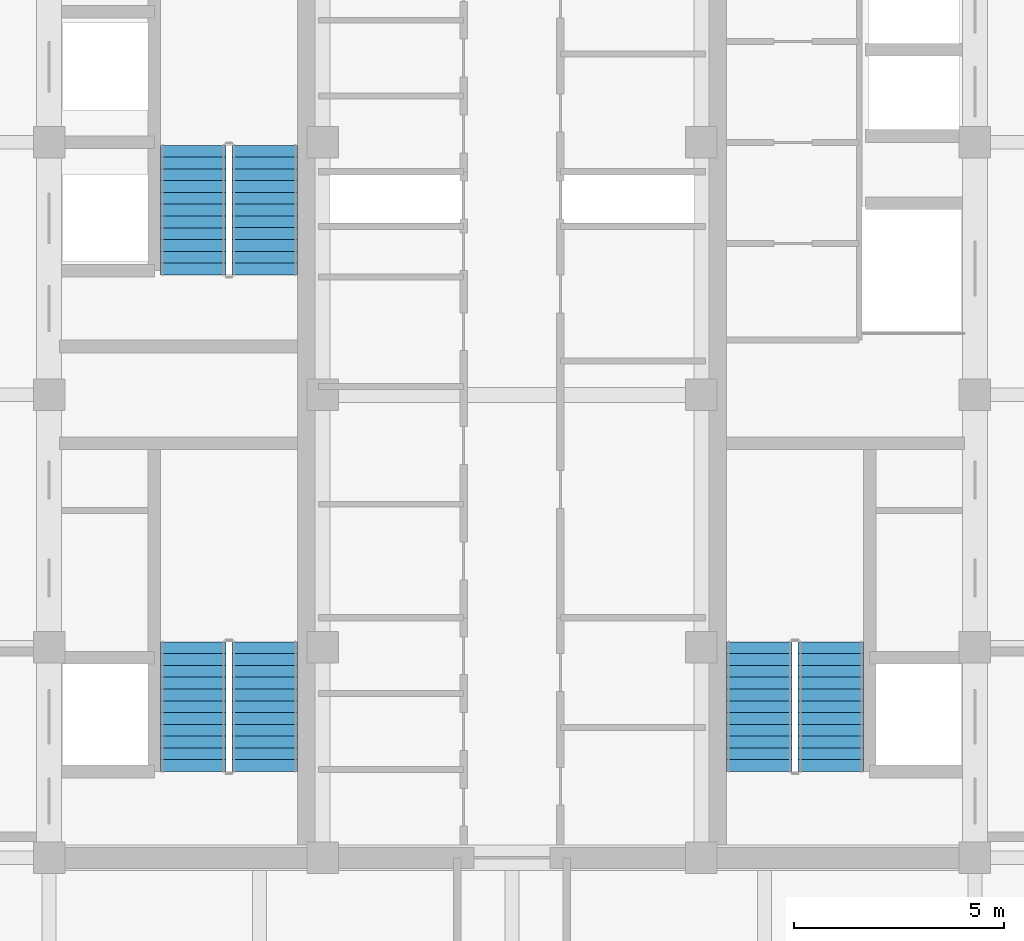
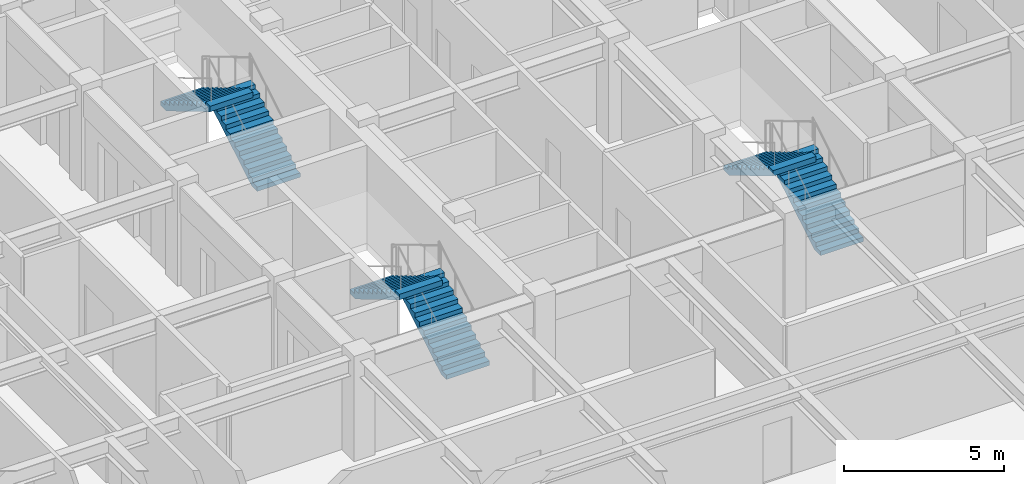
# One storey, part 28 of 29: 6 stair flights, 3 elements without a shape of their own.
"""IFC4 building model written with IfcOpenShell, lengths in metres."""

from ifc_helpers import new_model, si_unit, direction, frame, origin, place, context, subcontext, project, spatial, polyline, outline, extrude, source, transform, mapped, material, type_object, element, aggregate, save


model = new_model("IFC4")

# Units and contexts
model_context = context("Model", 3, precision=1e-05, world=origin(), true_north=direction((0.0, 1.0)))
body_context = subcontext(model_context, "Body", "Model", "MODEL_VIEW")
ifc_project = project(units=[si_unit("LENGTHUNIT", "METRE"), si_unit("AREAUNIT", "SQUARE_METRE"), si_unit("VOLUMEUNIT", "CUBIC_METRE"), si_unit("PLANEANGLEUNIT", "RADIAN"), si_unit("MASSUNIT", "GRAM", prefix="KILO")], contexts=[model_context])

# Site, building, storey
site_placement = place(None, origin())
site = spatial("IfcSite", under=ifc_project, at=site_placement, CompositionType="ELEMENT")
building_placement = place(site_placement, origin())
building = spatial("IfcBuilding", under=site, at=building_placement, Name="Khorayat Bourse Tower", CompositionType="ELEMENT")
storey_placement = place(building_placement, frame((0.0, 0.0, 362.300048828125)))
storey = spatial("IfcBuildingStorey", under=building, at=storey_placement, Name="L86", CompositionType="ELEMENT", Elevation=362.300048828125)

# Stair, stair flights
ifc_material = material(Name="Concrete C40/50", Category="concrete")
stair_type = type_object("IfcStairType", Name="STR-CORE-1550", PredefinedType="HALF_TURN_STAIR", material=ifc_material)
stair_1_placement = place(storey_placement, origin())
stair_1 = element("IfcStair", 1, at=stair_1_placement, inside=storey, type_object=stair_type, Name="L86 Exit Stair ST-1", PredefinedType="HALF_TURN_STAIR")
stair_flight_type = type_object("IfcStairFlightType", Name="FLT-CORE-1550", PredefinedType="STRAIGHT", material=ifc_material)
shared_shape = source(origin(), body_context, "Body", "SweptSolid", [
    extrude(outline(polyline([(0.0, 0.0), (0.0, 0.166748046875), (0.280029296875, 0.166748046875), (0.280029296875, 0.333251953125), (0.56005859375, 0.333251953125), (0.56005859375, 0.5), (0.840087890625, 0.5), (0.840087890625, 0.666748046875), (1.1201171875, 0.666748046875), (1.1201171875, 0.833251953125), (1.39990234375, 0.833251953125), (1.39990234375, 1.0), (1.679931640625, 1.0), (1.679931640625, 1.166748046875), (1.9599609375, 1.166748046875), (1.9599609375, 1.333251953125), (2.239990234375, 1.333251953125), (2.239990234375, 1.5), (2.52001953125, 1.5), (2.52001953125, 1.666748046875), (2.800048828125, 1.666748046875), (2.800048828125, 1.833251953125), (3.080078125, 1.833251953125), (3.080078125, 2.0), (3.080078125, 1.6240234375), (0.351806640625, 0.0), (0.0, 0.0)])), frame((0.0, 0.77490234375, 0.0), z_axis=(0.0, -1.0, 0.0), x_axis=(1.0, 0.0, 0.0)), (0.0, 0.0, 1.0), 1.550048828125),
])
stair_flight_1_placement = place(storey_placement, frame((-5.875, -8.949951171875, 0.0), z_axis=(0.0, 0.0, 1.0), x_axis=(0.0, 1.0, 0.0)))
stair_flight_1 = element("IfcStairFlight", 2, at=stair_flight_1_placement, type_object=stair_flight_type, Name="ST-1 flight 1", NumberOfRisers=12, NumberOfTreads=11, PredefinedType="STRAIGHT", RiserHeight=0.166666667, TreadLength=0.28, context=body_context, shape_type="MappedRepresentation", body=[
    mapped(shared_shape, transform((0.0, 0.0, 0.0), scale=1.0)),
])
stair_flight_2_placement = place(storey_placement, frame((-7.574951171875, -5.8701171875, 2.0), z_axis=(0.0, 0.0, 1.0), x_axis=(0.0, -1.0, 0.0)))
stair_flight_2 = element("IfcStairFlight", 3, at=stair_flight_2_placement, type_object=stair_flight_type, Name="ST-1 flight 2", NumberOfRisers=12, NumberOfTreads=11, PredefinedType="STRAIGHT", RiserHeight=0.166666667, TreadLength=0.28, context=body_context, shape_type="MappedRepresentation", body=[
    mapped(shared_shape, transform((0.0, 0.0, 0.0), scale=1.0)),
])
aggregate(stair_1, [stair_flight_1, stair_flight_2])

stair_2_placement = place(storey_placement, origin())
stair_2 = element("IfcStair", 4, at=stair_2_placement, inside=storey, type_object=stair_type, Name="L86 Exit Stair ST-2", PredefinedType="HALF_TURN_STAIR")
stair_flight_3_placement = place(storey_placement, frame((-5.875, 2.85009765625, 0.0), z_axis=(0.0, 0.0, 1.0), x_axis=(0.0, 1.0, 0.0)))
stair_flight_3 = element("IfcStairFlight", 5, at=stair_flight_3_placement, type_object=stair_flight_type, Name="ST-2 flight 1", NumberOfRisers=12, NumberOfTreads=11, PredefinedType="STRAIGHT", RiserHeight=0.166666667, TreadLength=0.28, context=body_context, shape_type="MappedRepresentation", body=[
    mapped(shared_shape, transform((0.0, 0.0, 0.0), scale=1.0)),
])
stair_flight_4_placement = place(storey_placement, frame((-7.574951171875, 5.929931640625, 2.0), z_axis=(0.0, 0.0, 1.0), x_axis=(0.0, -1.0, 0.0)))
stair_flight_4 = element("IfcStairFlight", 6, at=stair_flight_4_placement, type_object=stair_flight_type, Name="ST-2 flight 2", NumberOfRisers=12, NumberOfTreads=11, PredefinedType="STRAIGHT", RiserHeight=0.166666667, TreadLength=0.28, context=body_context, shape_type="MappedRepresentation", body=[
    mapped(shared_shape, transform((0.0, 0.0, 0.0), scale=1.0)),
])
aggregate(stair_2, [stair_flight_3, stair_flight_4])

stair_3_placement = place(storey_placement, origin())
stair_3 = element("IfcStair", 7, at=stair_3_placement, inside=storey, type_object=stair_type, Name="L86 Exit Stair ST-3", PredefinedType="HALF_TURN_STAIR")
stair_flight_5_placement = place(storey_placement, frame((7.574951171875, -8.949951171875, 0.0), z_axis=(0.0, 0.0, 1.0), x_axis=(0.0, 1.0, 0.0)))
stair_flight_5 = element("IfcStairFlight", 8, at=stair_flight_5_placement, type_object=stair_flight_type, Name="ST-3 flight 1", NumberOfRisers=12, NumberOfTreads=11, PredefinedType="STRAIGHT", RiserHeight=0.166666667, TreadLength=0.28, context=body_context, shape_type="MappedRepresentation", body=[
    mapped(shared_shape, transform((0.0, 0.0, 0.0), scale=1.0)),
])
stair_flight_6_placement = place(storey_placement, frame((5.875, -5.8701171875, 2.0), z_axis=(0.0, 0.0, 1.0), x_axis=(0.0, -1.0, 0.0)))
stair_flight_6 = element("IfcStairFlight", 9, at=stair_flight_6_placement, type_object=stair_flight_type, Name="ST-3 flight 2", NumberOfRisers=12, NumberOfTreads=11, PredefinedType="STRAIGHT", RiserHeight=0.166666667, TreadLength=0.28, context=body_context, shape_type="MappedRepresentation", body=[
    mapped(shared_shape, transform((0.0, 0.0, 0.0), scale=1.0)),
])
aggregate(stair_3, [stair_flight_5, stair_flight_6])

save(model, "model.ifc")
